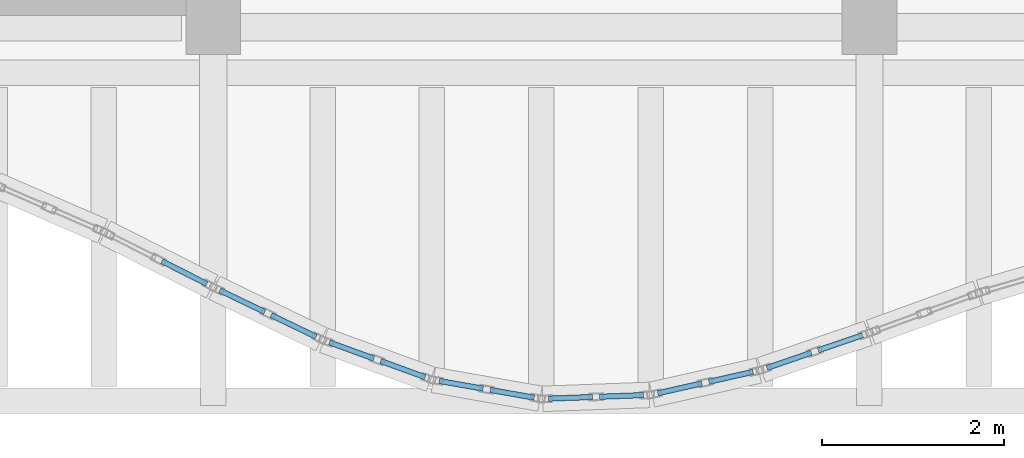
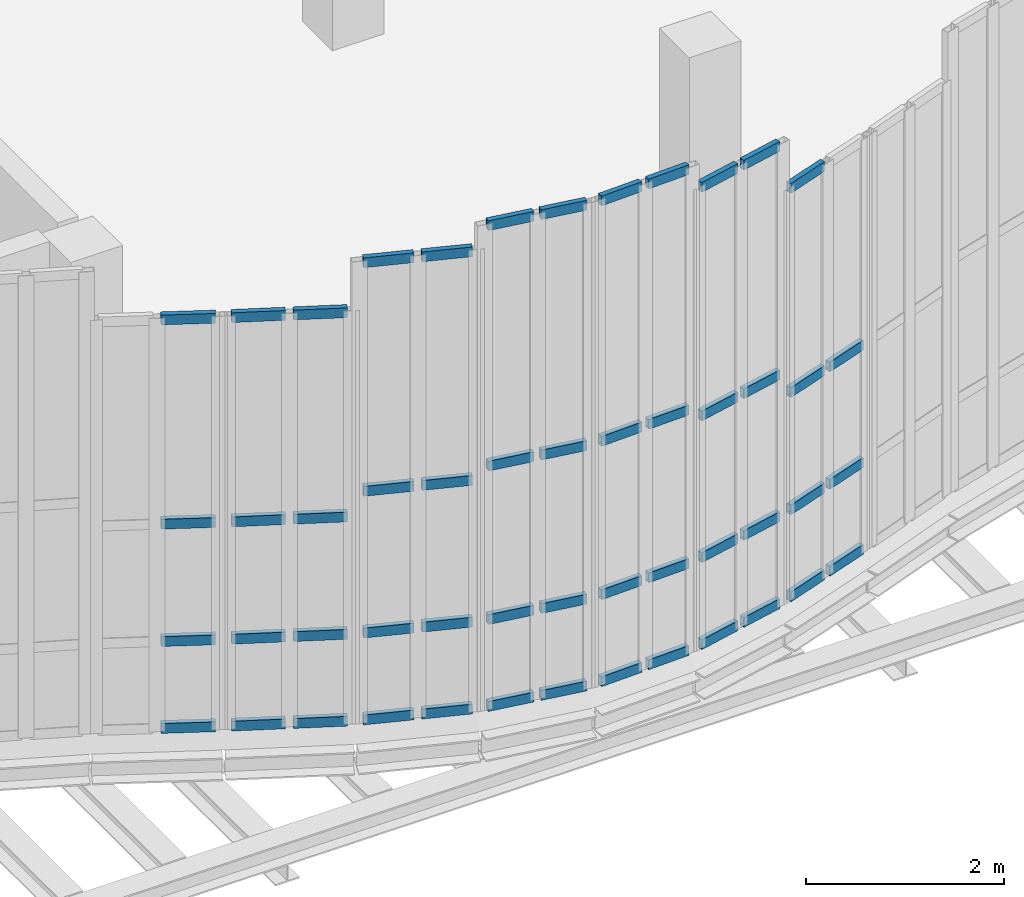
# One storey, part 40 of 76: 51 members, 7 elements without a shape of their own.
"""IFC4 building model written with IfcOpenShell, lengths in metres."""

import ifcopenshell
import ifcopenshell.guid

model = None  # the IFC model being written
_history = None  # IfcOwnerHistory: only IFC2X3 demands one
_inside = {}  # id of a spatial element -> (the spatial element, [elements in it])
_under = {}  # id of a project, library or spatial element -> (it, [spatial elements below it])
_declared = {}  # id of a project -> (the project, [libraries it declares])
_typed = {}  # id of a type object -> (the type object, [elements of that type])
_made_of = {}  # id of a material, layer set ... -> (it, [elements and type objects made of it])


def new_model(schema):
    """Start an empty IFC model of exactly this schema.

    Asked for "IFC4X3", IfcOpenShell would pick the latest addendum, in which some entities
    have other attributes; the version numbers below select the first issue.
    IFC2X3 requires an IfcOwnerHistory on every rooted entity: one is made here for all.
    """
    global model, _history
    if schema == "IFC4X3":
        model = ifcopenshell.file(schema_version=(4, 3, 0, 0))
    else:
        model = ifcopenshell.file(schema=schema)
    _inside.clear()
    _under.clear()
    _declared.clear()
    _typed.clear()
    _made_of.clear()
    _history = None
    if model.schema == "IFC2X3":
        org = make("IfcOrganization", Name="unknown")
        user = make(
            "IfcPersonAndOrganization",
            ThePerson=make("IfcPerson", FamilyName="unknown"),
            TheOrganization=org,
        )
        app = make(
            "IfcApplication",
            ApplicationDeveloper=org,
            Version="unknown",
            ApplicationFullName="unknown",
            ApplicationIdentifier="unknown",
        )
        _history = make(
            "IfcOwnerHistory",
            OwningUser=user,
            OwningApplication=app,
            ChangeAction="ADDED",
            CreationDate=0,
        )
    return model


def make(cls, **values):
    """One entity of the class cls with the attributes given. An attribute that is None is left unset."""
    return model.create_entity(
        cls, **{name: value for name, value in values.items() if value is not None}
    )


def rooted(cls, **values):
    """An entity with a GlobalId (a new one), such as an element, a storey or a relation."""
    return make(cls, GlobalId=ifcopenshell.guid.new(), OwnerHistory=_history, **values)


def si_unit(unit_type, name, prefix=None):
    """IfcSIUnit, for example si_unit("LENGTHUNIT", "METRE", prefix="MILLI")."""
    return make("IfcSIUnit", UnitType=unit_type, Prefix=prefix, Name=name)


def assignment(units):
    """IfcUnitAssignment: the units of a project."""
    return None if units is None else make("IfcUnitAssignment", Units=units)


def point(xyz):
    """IfcCartesianPoint."""
    return None if xyz is None else make("IfcCartesianPoint", Coordinates=xyz)


def direction(xyz):
    """IfcDirection."""
    return None if xyz is None else make("IfcDirection", DirectionRatios=xyz)


def frame(location, z_axis=None, x_axis=None):
    """IfcAxis2Placement3D, a coordinate frame: its origin and axes. An axis left out is left unset."""
    return make(
        "IfcAxis2Placement3D",
        Location=point(location),
        Axis=direction(z_axis),
        RefDirection=direction(x_axis),
    )


def frame_2d(location, x_axis=None):
    """IfcAxis2Placement2D, a coordinate frame in the plane: its origin and x axis."""
    return make(
        "IfcAxis2Placement2D", Location=point(location), RefDirection=direction(x_axis)
    )


def origin():
    """The frame at (0, 0, 0) with its axes left unset."""
    return frame((0.0, 0.0, 0.0))


def origin_2d():
    """The frame at (0, 0) in the plane with its x axis left unset."""
    return frame_2d((0.0, 0.0))


def place(relative_to, where):
    """IfcLocalPlacement: puts the frame where relative to a parent placement (None: the world)."""
    return make(
        "IfcLocalPlacement", PlacementRelTo=relative_to, RelativePlacement=where
    )


def context(
    kind, dimensions, precision=None, world=None, true_north=None, identifier=None
):
    """IfcGeometricRepresentationContext, for example the 3D "Model" context."""
    return make(
        "IfcGeometricRepresentationContext",
        ContextIdentifier=identifier,
        ContextType=kind,
        CoordinateSpaceDimension=dimensions,
        Precision=precision,
        WorldCoordinateSystem=world,
        TrueNorth=true_north,
    )


def subcontext(parent, identifier, kind, view, scale=None):
    """IfcGeometricRepresentationSubContext, for example "Body" below "Model"."""
    return make(
        "IfcGeometricRepresentationSubContext",
        ContextIdentifier=identifier,
        ContextType=kind,
        ParentContext=parent,
        TargetScale=scale,
        TargetView=view,
    )


def project(units=None, contexts=None):
    """IfcProject with its units and contexts."""
    return rooted(
        "IfcProject",
        Name="project",
        RepresentationContexts=contexts,
        UnitsInContext=assignment(units),
    )


def spatial(cls, under=None, at=None, **own):
    """A site, building, storey or space (cls), placed at a placement, below another one or the project."""
    s = rooted(cls, ObjectPlacement=at, **own)
    if under is not None:
        _under.setdefault(under.id(), (under, []))[1].append(s)
    return s


def profile(cls, at=None, kind="AREA", **sizes):
    """A parametric profile (cls). Its sizes go by their IFC names, for example OverallWidth=200.0."""
    return make(cls, ProfileType=kind, Position=at, **sizes)


def hollow_rectangle(**sizes):
    """IfcRectangleHollowProfileDef."""
    return profile("IfcRectangleHollowProfileDef", **sizes)


def extrude(swept, where, along, depth):
    """IfcExtrudedAreaSolid: the profile swept, set in the frame where, extruded along a direction by depth."""
    return make(
        "IfcExtrudedAreaSolid",
        SweptArea=swept,
        Position=where,
        ExtrudedDirection=direction(along),
        Depth=depth,
    )


def shape(context_of_items, identifier, shape_type, items):
    """IfcShapeRepresentation: the items that make up one representation, for example the "Body"."""
    return make(
        "IfcShapeRepresentation",
        ContextOfItems=context_of_items,
        RepresentationIdentifier=identifier,
        RepresentationType=shape_type,
        Items=items,
    )


def material(Name=None, Category=None):
    """IfcMaterial."""
    return make("IfcMaterial", Name=Name, Category=Category)


def layer(
    of_material, thickness, ventilated=None, Name=None, Category=None, Priority=None
):
    """IfcMaterialLayer: one layer of a wall or slab, of a material (None: an air gap)."""
    return make(
        "IfcMaterialLayer",
        Material=of_material,
        LayerThickness=thickness,
        IsVentilated=ventilated,
        Name=Name,
        Category=Category,
        Priority=Priority,
    )


def layer_set(layers, Name=None):
    """IfcMaterialLayerSet."""
    return make("IfcMaterialLayerSet", MaterialLayers=layers, LayerSetName=Name)


def material_profile(
    of_material, cross_section, Name=None, Category=None, Priority=None
):
    """IfcMaterialProfile: a cross section and its material."""
    return make(
        "IfcMaterialProfile",
        Name=Name,
        Material=of_material,
        Profile=cross_section,
        Priority=Priority,
        Category=Category,
    )


def profile_set(profiles, Name=None, composite=None):
    """IfcMaterialProfileSet."""
    return make(
        "IfcMaterialProfileSet",
        Name=Name,
        MaterialProfiles=profiles,
        CompositeProfile=composite,
    )


def made_of(thing, what):
    """Note that an element or type object is made of a material, layer set ...; save() writes the relation."""
    if what is not None:
        _made_of.setdefault(what.id(), (what, []))[1].append(thing)
    return thing


def type_object(cls, material=None, **own):
    """A type object (cls), such as IfcWallType, which elements share."""
    return made_of(rooted(cls, **own), material)


def element(
    cls,
    number,
    at=None,
    inside=None,
    cuts=None,
    type_object=None,
    material=None,
    context=None,
    identifier="Body",
    shape_type=None,
    held_by="IfcProductDefinitionShape",
    body=None,
    shapes=None,
    **own,
):
    """One element of the class cls, such as IfcWall. Its Tag is "e" and its number.

    at: its placement. inside: the storey or other place that contains it. cuts: it is an
    opening in that element (IfcRelVoidsElement). A single representation is given by context,
    identifier, shape_type and body (its items); several are given by shapes. held_by: the class
    of the entity that holds the representations. save() writes the other relations.
    """
    e = rooted(cls, Tag="e%d" % number, ObjectPlacement=at, **own)
    if body is not None:
        shapes = [shape(context, identifier, shape_type, body)]
    if shapes is not None:
        e.Representation = make(held_by, Representations=shapes)
    if inside is not None:
        _inside.setdefault(inside.id(), (inside, []))[1].append(e)
    if cuts is not None:
        rooted(
            "IfcRelVoidsElement", RelatingBuildingElement=cuts, RelatedOpeningElement=e
        )
    if type_object is not None:
        _typed.setdefault(type_object.id(), (type_object, []))[1].append(e)
    return made_of(e, material)


def aggregate(whole, parts):
    """IfcRelAggregates: a whole, such as a stair, and the parts it consists of."""
    return rooted("IfcRelAggregates", RelatingObject=whole, RelatedObjects=parts)


def save(model, path):
    """Write the relations noted so far, then the file.

    IfcRelAggregates (storeys below a building ...), IfcRelContainedInSpatialStructure (elements
    in a storey), IfcRelDefinesByType, IfcRelAssociatesMaterial and IfcRelDeclares: one each for
    every whole, place, type object, material and project.
    """
    for whole, parts in _under.values():
        aggregate(whole, parts)
    for where, things in _inside.values():
        rooted(
            "IfcRelContainedInSpatialStructure",
            RelatedElements=things,
            RelatingStructure=where,
        )
    for kind, things in _typed.values():
        rooted("IfcRelDefinesByType", RelatedObjects=things, RelatingType=kind)
    for what, things in _made_of.values():
        rooted("IfcRelAssociatesMaterial", RelatedObjects=things, RelatingMaterial=what)
    for by, libraries in _declared.values():
        rooted("IfcRelDeclares", RelatingContext=by, RelatedDefinitions=libraries)
    model.write(path)


model = new_model("IFC4")

# Units and contexts
model_context = context("Model", 3, precision=1e-05, world=origin(), true_north=direction((0.0, 1.0)))
body_context = subcontext(model_context, "Body", "Model", "MODEL_VIEW")
ifc_project = project(units=[si_unit("LENGTHUNIT", "METRE"), si_unit("AREAUNIT", "SQUARE_METRE"), si_unit("VOLUMEUNIT", "CUBIC_METRE"), si_unit("PLANEANGLEUNIT", "RADIAN"), si_unit("MASSUNIT", "GRAM", prefix="KILO"), si_unit("THERMODYNAMICTEMPERATUREUNIT", "KELVIN"), si_unit("POWERUNIT", "WATT")], contexts=[model_context])

# Site, building, storey
site_placement = place(None, origin())
site = spatial("IfcSite", under=ifc_project, at=site_placement, CompositionType="ELEMENT")
building_placement = place(site_placement, origin())
building = spatial("IfcBuilding", under=site, at=building_placement, Name="Kaldorven Railside Theatre", CompositionType="ELEMENT")
storey_placement = place(building_placement, frame((0.0, 0.0, 14.39990234375)))
storey = spatial("IfcBuildingStorey", under=building, at=storey_placement, Name="L03", CompositionType="ELEMENT", Elevation=14.39990234375)

# Curtain wall, members
ifc_material_1 = material(Name="Low-E laminated solar-control glass", Category="glass")
ifc_layer_1 = layer(ifc_material_1, 0.159912109375, Name="Low-E laminated solar-control glass")
ifc_layer_set_1 = layer_set([ifc_layer_1], Name="Low-E laminated solar-control glass")
curtain_wall_type_1 = type_object("IfcCurtainWallType", Name="CWT-13", PredefinedType="USERDEFINED", material=ifc_layer_set_1)
curtain_wall_1_placement = place(storey_placement, origin())
curtain_wall_1 = element("IfcCurtainWall", 1, at=curtain_wall_1_placement, inside=storey, type_object=curtain_wall_type_1, Name="Sinusoidal Fluted Curtain Wall CW-L03-S30", ObjectType="FLUTED GLAZING", PredefinedType="USERDEFINED")
ifc_material_2 = material(Name="Anodised bronze aluminium", Category="aluminium")
ifc_material_profile = material_profile(ifc_material_2, hollow_rectangle(XDim=0.06005859375, YDim=0.1201171875, WallThickness=0.0048828125, at=origin_2d()), Name="RHS 120x60x5")
ifc_profile_set = profile_set([ifc_material_profile], Name="Anodised bronze aluminium")
member_type = type_object("IfcMemberType", Name="CWT-120", PredefinedType="USERDEFINED", material=ifc_profile_set)
member_1_placement = place(storey_placement, frame((72.235595703125, 16.6328125, 0.030029296875), z_axis=(0.892206748065, -0.451627189956, 0.0), x_axis=(0.451627189956, 0.892206748065, 0.0)))
member_1 = element("IfcMember", 2, at=member_1_placement, type_object=member_type, Name="CW-L03-S30 transom 2.1", ObjectType="TRANSOM", PredefinedType="USERDEFINED", context=body_context, shape_type="SweptSolid", body=[
    extrude(hollow_rectangle(XDim=0.06005859375, YDim=0.1201171875, WallThickness=0.0048828125, at=origin_2d()), origin(), (0.0, 0.0, 1.0), 0.552490234375),
])
member_2_placement = place(storey_placement, frame((72.235595703125, 16.6328125, 1.10009765625), z_axis=(0.892206748065, -0.451627189956, 0.0), x_axis=(0.451627189956, 0.892206748065, 0.0)))
member_2 = element("IfcMember", 3, at=member_2_placement, type_object=member_type, Name="CW-L03-S30 transom 2.2", ObjectType="TRANSOM", PredefinedType="USERDEFINED", context=body_context, shape_type="SweptSolid", body=[
    extrude(hollow_rectangle(XDim=0.06005859375, YDim=0.1201171875, WallThickness=0.0048828125, at=origin_2d()), origin(), (0.0, 0.0, 1.0), 0.552490234375),
])
member_3_placement = place(storey_placement, frame((72.235595703125, 16.6328125, 2.545166015625), z_axis=(0.892206748065, -0.451627189956, 0.0), x_axis=(0.451627189956, 0.892206748065, 0.0)))
member_3 = element("IfcMember", 4, at=member_3_placement, type_object=member_type, Name="CW-L03-S30 transom 2.3", ObjectType="TRANSOM", PredefinedType="USERDEFINED", context=body_context, shape_type="SweptSolid", body=[
    extrude(hollow_rectangle(XDim=0.06005859375, YDim=0.1201171875, WallThickness=0.0048828125, at=origin_2d()), origin(), (0.0, 0.0, 1.0), 0.552490234375),
])
member_4_placement = place(storey_placement, frame((72.235595703125, 16.6328125, 5.06005859375), z_axis=(0.892206748065, -0.451627189956, 0.0), x_axis=(0.451627189956, 0.892206748065, 0.0)))
member_4 = element("IfcMember", 5, at=member_4_placement, type_object=member_type, Name="CW-L03-S30 transom 2.4", ObjectType="TRANSOM", PredefinedType="USERDEFINED", context=body_context, shape_type="SweptSolid", body=[
    extrude(hollow_rectangle(XDim=0.06005859375, YDim=0.1201171875, WallThickness=0.0048828125, at=origin_2d()), origin(), (0.0, 0.0, 1.0), 0.552490234375),
])
aggregate(curtain_wall_1, [member_1, member_2, member_3, member_4])

curtain_wall_2_placement = place(storey_placement, origin())
curtain_wall_2 = element("IfcCurtainWall", 6, at=curtain_wall_2_placement, inside=storey, type_object=curtain_wall_type_1, Name="Sinusoidal Fluted Curtain Wall CW-L03-S31", ObjectType="FLUTED GLAZING", PredefinedType="USERDEFINED")
member_5_placement = place(storey_placement, frame((72.8720703125, 16.3125, 0.030029296875), z_axis=(0.90085923382, -0.434111323097, 0.0), x_axis=(0.434111323097, 0.90085923382, 0.0)))
member_5 = element("IfcMember", 7, at=member_5_placement, type_object=member_type, Name="CW-L03-S31 transom 1.1", ObjectType="TRANSOM", PredefinedType="USERDEFINED", context=body_context, shape_type="SweptSolid", body=[
    extrude(hollow_rectangle(XDim=0.06005859375, YDim=0.1201171875, WallThickness=0.0048828125, at=origin_2d()), origin(), (0.0, 0.0, 1.0), 0.546142578125),
])
member_6_placement = place(storey_placement, frame((72.8720703125, 16.3125, 1.10009765625), z_axis=(0.90085923382, -0.434111323097, 0.0), x_axis=(0.434111323097, 0.90085923382, 0.0)))
member_6 = element("IfcMember", 8, at=member_6_placement, type_object=member_type, Name="CW-L03-S31 transom 1.2", ObjectType="TRANSOM", PredefinedType="USERDEFINED", context=body_context, shape_type="SweptSolid", body=[
    extrude(hollow_rectangle(XDim=0.06005859375, YDim=0.1201171875, WallThickness=0.0048828125, at=origin_2d()), origin(), (0.0, 0.0, 1.0), 0.546142578125),
])
member_7_placement = place(storey_placement, frame((72.8720703125, 16.3125, 2.545166015625), z_axis=(0.90085923382, -0.434111323097, 0.0), x_axis=(0.434111323097, 0.90085923382, 0.0)))
member_7 = element("IfcMember", 9, at=member_7_placement, type_object=member_type, Name="CW-L03-S31 transom 1.3", ObjectType="TRANSOM", PredefinedType="USERDEFINED", context=body_context, shape_type="SweptSolid", body=[
    extrude(hollow_rectangle(XDim=0.06005859375, YDim=0.1201171875, WallThickness=0.0048828125, at=origin_2d()), origin(), (0.0, 0.0, 1.0), 0.546142578125),
])
member_8_placement = place(storey_placement, frame((72.8720703125, 16.3125, 5.06005859375), z_axis=(0.90085923382, -0.434111323097, 0.0), x_axis=(0.434111323097, 0.90085923382, 0.0)))
member_8 = element("IfcMember", 10, at=member_8_placement, type_object=member_type, Name="CW-L03-S31 transom 1.4", ObjectType="TRANSOM", PredefinedType="USERDEFINED", context=body_context, shape_type="SweptSolid", body=[
    extrude(hollow_rectangle(XDim=0.06005859375, YDim=0.1201171875, WallThickness=0.0048828125, at=origin_2d()), origin(), (0.0, 0.0, 1.0), 0.546142578125),
])
member_9_placement = place(storey_placement, frame((73.43603515625, 16.040771484375, 0.030029296875), z_axis=(0.900684355074, -0.434474041256, 0.0), x_axis=(0.434474041256, 0.900684355074, 0.0)))
member_9 = element("IfcMember", 11, at=member_9_placement, type_object=member_type, Name="CW-L03-S31 transom 2.1", ObjectType="TRANSOM", PredefinedType="USERDEFINED", context=body_context, shape_type="SweptSolid", body=[
    extrude(hollow_rectangle(XDim=0.06005859375, YDim=0.1201171875, WallThickness=0.0048828125, at=origin_2d()), origin(), (0.0, 0.0, 1.0), 0.546142578125),
])
member_10_placement = place(storey_placement, frame((73.43603515625, 16.040771484375, 1.10009765625), z_axis=(0.900684355074, -0.434474041256, 0.0), x_axis=(0.434474041256, 0.900684355074, 0.0)))
member_10 = element("IfcMember", 12, at=member_10_placement, type_object=member_type, Name="CW-L03-S31 transom 2.2", ObjectType="TRANSOM", PredefinedType="USERDEFINED", context=body_context, shape_type="SweptSolid", body=[
    extrude(hollow_rectangle(XDim=0.06005859375, YDim=0.1201171875, WallThickness=0.0048828125, at=origin_2d()), origin(), (0.0, 0.0, 1.0), 0.546142578125),
])
member_11_placement = place(storey_placement, frame((73.43603515625, 16.040771484375, 2.545166015625), z_axis=(0.900684355074, -0.434474041256, 0.0), x_axis=(0.434474041256, 0.900684355074, 0.0)))
member_11 = element("IfcMember", 13, at=member_11_placement, type_object=member_type, Name="CW-L03-S31 transom 2.3", ObjectType="TRANSOM", PredefinedType="USERDEFINED", context=body_context, shape_type="SweptSolid", body=[
    extrude(hollow_rectangle(XDim=0.06005859375, YDim=0.1201171875, WallThickness=0.0048828125, at=origin_2d()), origin(), (0.0, 0.0, 1.0), 0.546142578125),
])
member_12_placement = place(storey_placement, frame((73.43603515625, 16.040771484375, 5.06005859375), z_axis=(0.900684355074, -0.434474041256, 0.0), x_axis=(0.434474041256, 0.900684355074, 0.0)))
member_12 = element("IfcMember", 14, at=member_12_placement, type_object=member_type, Name="CW-L03-S31 transom 2.4", ObjectType="TRANSOM", PredefinedType="USERDEFINED", context=body_context, shape_type="SweptSolid", body=[
    extrude(hollow_rectangle(XDim=0.06005859375, YDim=0.1201171875, WallThickness=0.0048828125, at=origin_2d()), origin(), (0.0, 0.0, 1.0), 0.546142578125),
])
aggregate(curtain_wall_2, [member_5, member_6, member_7, member_8, member_9, member_10, member_11, member_12])

ifc_layer_2 = layer(ifc_material_1, 0.159912109375, Name="Low-E laminated solar-control glass")
ifc_layer_set_2 = layer_set([ifc_layer_2], Name="Low-E laminated solar-control glass")
curtain_wall_type_2 = type_object("IfcCurtainWallType", Name="CWT-14", PredefinedType="USERDEFINED", material=ifc_layer_set_2)
curtain_wall_3_placement = place(storey_placement, origin())
curtain_wall_3 = element("IfcCurtainWall", 15, at=curtain_wall_3_placement, inside=storey, type_object=curtain_wall_type_2, Name="Sinusoidal Fluted Curtain Wall CW-L03-S32", ObjectType="FLUTED GLAZING", PredefinedType="USERDEFINED")
member_13_placement = place(storey_placement, frame((74.0751953125, 15.741455078125, 0.030029296875), z_axis=(0.939765927039, -0.341818668853, 0.0), x_axis=(0.341818668853, 0.939765927039, 0.0)))
member_13 = element("IfcMember", 16, at=member_13_placement, type_object=member_type, Name="CW-L03-S32 transom 1.1", ObjectType="TRANSOM", PredefinedType="USERDEFINED", context=body_context, shape_type="SweptSolid", body=[
    extrude(hollow_rectangle(XDim=0.06005859375, YDim=0.1201171875, WallThickness=0.0048828125, at=origin_2d()), origin(), (0.0, 0.0, 1.0), 0.5185546875),
])
member_14_placement = place(storey_placement, frame((74.0751953125, 15.741455078125, 1.10009765625), z_axis=(0.939765927039, -0.341818668853, 0.0), x_axis=(0.341818668853, 0.939765927039, 0.0)))
member_14 = element("IfcMember", 17, at=member_14_placement, type_object=member_type, Name="CW-L03-S32 transom 1.2", ObjectType="TRANSOM", PredefinedType="USERDEFINED", context=body_context, shape_type="SweptSolid", body=[
    extrude(hollow_rectangle(XDim=0.06005859375, YDim=0.1201171875, WallThickness=0.0048828125, at=origin_2d()), origin(), (0.0, 0.0, 1.0), 0.5185546875),
])
member_15_placement = place(storey_placement, frame((74.0751953125, 15.741455078125, 2.84521484375), z_axis=(0.939765927039, -0.341818668853, 0.0), x_axis=(0.341818668853, 0.939765927039, 0.0)))
member_15 = element("IfcMember", 18, at=member_15_placement, type_object=member_type, Name="CW-L03-S32 transom 1.3", ObjectType="TRANSOM", PredefinedType="USERDEFINED", context=body_context, shape_type="SweptSolid", body=[
    extrude(hollow_rectangle(XDim=0.06005859375, YDim=0.1201171875, WallThickness=0.0048828125, at=origin_2d()), origin(), (0.0, 0.0, 1.0), 0.5185546875),
])
member_16_placement = place(storey_placement, frame((74.0751953125, 15.741455078125, 5.66015625), z_axis=(0.939765927039, -0.341818668853, 0.0), x_axis=(0.341818668853, 0.939765927039, 0.0)))
member_16 = element("IfcMember", 19, at=member_16_placement, type_object=member_type, Name="CW-L03-S32 transom 1.4", ObjectType="TRANSOM", PredefinedType="USERDEFINED", context=body_context, shape_type="SweptSolid", body=[
    extrude(hollow_rectangle(XDim=0.06005859375, YDim=0.1201171875, WallThickness=0.0048828125, at=origin_2d()), origin(), (0.0, 0.0, 1.0), 0.5185546875),
])
member_17_placement = place(storey_placement, frame((74.6376953125, 15.536865234375, 0.030029296875), z_axis=(0.939710879359, -0.341969974143, 0.0), x_axis=(0.341969974143, 0.939710879359, 0.0)))
member_17 = element("IfcMember", 20, at=member_17_placement, type_object=member_type, Name="CW-L03-S32 transom 2.1", ObjectType="TRANSOM", PredefinedType="USERDEFINED", context=body_context, shape_type="SweptSolid", body=[
    extrude(hollow_rectangle(XDim=0.06005859375, YDim=0.1201171875, WallThickness=0.0048828125, at=origin_2d()), origin(), (0.0, 0.0, 1.0), 0.518310546875),
])
member_18_placement = place(storey_placement, frame((74.6376953125, 15.536865234375, 1.10009765625), z_axis=(0.939710879359, -0.341969974143, 0.0), x_axis=(0.341969974143, 0.939710879359, 0.0)))
member_18 = element("IfcMember", 21, at=member_18_placement, type_object=member_type, Name="CW-L03-S32 transom 2.2", ObjectType="TRANSOM", PredefinedType="USERDEFINED", context=body_context, shape_type="SweptSolid", body=[
    extrude(hollow_rectangle(XDim=0.06005859375, YDim=0.1201171875, WallThickness=0.0048828125, at=origin_2d()), origin(), (0.0, 0.0, 1.0), 0.518310546875),
])
member_19_placement = place(storey_placement, frame((74.6376953125, 15.536865234375, 2.84521484375), z_axis=(0.939710879359, -0.341969974143, 0.0), x_axis=(0.341969974143, 0.939710879359, 0.0)))
member_19 = element("IfcMember", 22, at=member_19_placement, type_object=member_type, Name="CW-L03-S32 transom 2.3", ObjectType="TRANSOM", PredefinedType="USERDEFINED", context=body_context, shape_type="SweptSolid", body=[
    extrude(hollow_rectangle(XDim=0.06005859375, YDim=0.1201171875, WallThickness=0.0048828125, at=origin_2d()), origin(), (0.0, 0.0, 1.0), 0.518310546875),
])
member_20_placement = place(storey_placement, frame((74.6376953125, 15.536865234375, 5.66015625), z_axis=(0.939710879359, -0.341969974143, 0.0), x_axis=(0.341969974143, 0.939710879359, 0.0)))
member_20 = element("IfcMember", 23, at=member_20_placement, type_object=member_type, Name="CW-L03-S32 transom 2.4", ObjectType="TRANSOM", PredefinedType="USERDEFINED", context=body_context, shape_type="SweptSolid", body=[
    extrude(hollow_rectangle(XDim=0.06005859375, YDim=0.1201171875, WallThickness=0.0048828125, at=origin_2d()), origin(), (0.0, 0.0, 1.0), 0.518310546875),
])
aggregate(curtain_wall_3, [member_13, member_14, member_15, member_16, member_17, member_18, member_19, member_20])

ifc_layer_3 = layer(ifc_material_1, 0.159912109375, Name="Low-E laminated solar-control glass")
ifc_layer_set_3 = layer_set([ifc_layer_3], Name="Low-E laminated solar-control glass")
curtain_wall_type_3 = type_object("IfcCurtainWallType", Name="CWT-15", PredefinedType="USERDEFINED", material=ifc_layer_set_3)
curtain_wall_4_placement = place(storey_placement, origin())
curtain_wall_4 = element("IfcCurtainWall", 24, at=curtain_wall_4_placement, inside=storey, type_object=curtain_wall_type_3, Name="Sinusoidal Fluted Curtain Wall CW-L03-S33", ObjectType="FLUTED GLAZING", PredefinedType="USERDEFINED")
member_21_placement = place(storey_placement, frame((75.27880859375, 15.318359375, 0.030029296875), z_axis=(0.984883900347, -0.1732157696, 0.0), x_axis=(0.1732157696, 0.984883900347, 0.0)))
member_21 = element("IfcMember", 25, at=member_21_placement, type_object=member_type, Name="CW-L03-S33 transom 1.1", ObjectType="TRANSOM", PredefinedType="USERDEFINED", context=body_context, shape_type="SweptSolid", body=[
    extrude(hollow_rectangle(XDim=0.06005859375, YDim=0.1201171875, WallThickness=0.0048828125, at=origin_2d()), origin(), (0.0, 0.0, 1.0), 0.489013671875),
])
member_22_placement = place(storey_placement, frame((75.27880859375, 15.318359375, 1.10009765625), z_axis=(0.984883900347, -0.1732157696, 0.0), x_axis=(0.1732157696, 0.984883900347, 0.0)))
member_22 = element("IfcMember", 26, at=member_22_placement, type_object=member_type, Name="CW-L03-S33 transom 1.2", ObjectType="TRANSOM", PredefinedType="USERDEFINED", context=body_context, shape_type="SweptSolid", body=[
    extrude(hollow_rectangle(XDim=0.06005859375, YDim=0.1201171875, WallThickness=0.0048828125, at=origin_2d()), origin(), (0.0, 0.0, 1.0), 0.489013671875),
])
member_23_placement = place(storey_placement, frame((75.27880859375, 15.318359375, 2.989990234375), z_axis=(0.984883900347, -0.1732157696, 0.0), x_axis=(0.1732157696, 0.984883900347, 0.0)))
member_23 = element("IfcMember", 27, at=member_23_placement, type_object=member_type, Name="CW-L03-S33 transom 1.3", ObjectType="TRANSOM", PredefinedType="USERDEFINED", context=body_context, shape_type="SweptSolid", body=[
    extrude(hollow_rectangle(XDim=0.06005859375, YDim=0.1201171875, WallThickness=0.0048828125, at=origin_2d()), origin(), (0.0, 0.0, 1.0), 0.489013671875),
])
member_24_placement = place(storey_placement, frame((75.27880859375, 15.318359375, 5.9501953125), z_axis=(0.984883900347, -0.1732157696, 0.0), x_axis=(0.1732157696, 0.984883900347, 0.0)))
member_24 = element("IfcMember", 28, at=member_24_placement, type_object=member_type, Name="CW-L03-S33 transom 1.4", ObjectType="TRANSOM", PredefinedType="USERDEFINED", context=body_context, shape_type="SweptSolid", body=[
    extrude(hollow_rectangle(XDim=0.06005859375, YDim=0.1201171875, WallThickness=0.0048828125, at=origin_2d()), origin(), (0.0, 0.0, 1.0), 0.489013671875),
])
member_25_placement = place(storey_placement, frame((75.83935546875, 15.2197265625, 0.030029296875), z_axis=(0.984898866584, -0.173130651826, 0.0), x_axis=(0.173130651826, 0.984898866584, 0.0)))
member_25 = element("IfcMember", 29, at=member_25_placement, type_object=member_type, Name="CW-L03-S33 transom 2.1", ObjectType="TRANSOM", PredefinedType="USERDEFINED", context=body_context, shape_type="SweptSolid", body=[
    extrude(hollow_rectangle(XDim=0.06005859375, YDim=0.1201171875, WallThickness=0.0048828125, at=origin_2d()), origin(), (0.0, 0.0, 1.0), 0.4892578125),
])
member_26_placement = place(storey_placement, frame((75.83935546875, 15.2197265625, 1.10009765625), z_axis=(0.984898866584, -0.173130651826, 0.0), x_axis=(0.173130651826, 0.984898866584, 0.0)))
member_26 = element("IfcMember", 30, at=member_26_placement, type_object=member_type, Name="CW-L03-S33 transom 2.2", ObjectType="TRANSOM", PredefinedType="USERDEFINED", context=body_context, shape_type="SweptSolid", body=[
    extrude(hollow_rectangle(XDim=0.06005859375, YDim=0.1201171875, WallThickness=0.0048828125, at=origin_2d()), origin(), (0.0, 0.0, 1.0), 0.4892578125),
])
member_27_placement = place(storey_placement, frame((75.83935546875, 15.2197265625, 2.989990234375), z_axis=(0.984898866584, -0.173130651826, 0.0), x_axis=(0.173130651826, 0.984898866584, 0.0)))
member_27 = element("IfcMember", 31, at=member_27_placement, type_object=member_type, Name="CW-L03-S33 transom 2.3", ObjectType="TRANSOM", PredefinedType="USERDEFINED", context=body_context, shape_type="SweptSolid", body=[
    extrude(hollow_rectangle(XDim=0.06005859375, YDim=0.1201171875, WallThickness=0.0048828125, at=origin_2d()), origin(), (0.0, 0.0, 1.0), 0.4892578125),
])
member_28_placement = place(storey_placement, frame((75.83935546875, 15.2197265625, 5.9501953125), z_axis=(0.984898866584, -0.173130651826, 0.0), x_axis=(0.173130651826, 0.984898866584, 0.0)))
member_28 = element("IfcMember", 32, at=member_28_placement, type_object=member_type, Name="CW-L03-S33 transom 2.4", ObjectType="TRANSOM", PredefinedType="USERDEFINED", context=body_context, shape_type="SweptSolid", body=[
    extrude(hollow_rectangle(XDim=0.06005859375, YDim=0.1201171875, WallThickness=0.0048828125, at=origin_2d()), origin(), (0.0, 0.0, 1.0), 0.4892578125),
])
aggregate(curtain_wall_4, [member_21, member_22, member_23, member_24, member_25, member_26, member_27, member_28])

ifc_layer_4 = layer(ifc_material_1, 0.159912109375, Name="Low-E laminated solar-control glass")
ifc_layer_set_4 = layer_set([ifc_layer_4], Name="Low-E laminated solar-control glass")
curtain_wall_type_4 = type_object("IfcCurtainWallType", Name="CWT-10", PredefinedType="USERDEFINED", material=ifc_layer_set_4)
curtain_wall_5_placement = place(storey_placement, origin())
curtain_wall_5 = element("IfcCurtainWall", 33, at=curtain_wall_5_placement, inside=storey, type_object=curtain_wall_type_4, Name="Sinusoidal Fluted Curtain Wall CW-L03-S34", ObjectType="FLUTED GLAZING", PredefinedType="USERDEFINED")
member_29_placement = place(storey_placement, frame((76.47998046875, 15.124267578125, 0.030029296875), z_axis=(0.99933006699, 0.036598049249, 0.0), x_axis=(-0.036598049249, 0.99933006699, 0.0)))
member_29 = element("IfcMember", 34, at=member_29_placement, type_object=member_type, Name="CW-L03-S34 transom 1.1", ObjectType="TRANSOM", PredefinedType="USERDEFINED", context=body_context, shape_type="SweptSolid", body=[
    extrude(hollow_rectangle(XDim=0.06005859375, YDim=0.1201171875, WallThickness=0.0048828125, at=origin_2d()), origin(), (0.0, 0.0, 1.0), 0.480224609375),
])
member_30_placement = place(storey_placement, frame((76.47998046875, 15.124267578125, 1.10009765625), z_axis=(0.99933006699, 0.036598049249, 0.0), x_axis=(-0.036598049249, 0.99933006699, 0.0)))
member_30 = element("IfcMember", 35, at=member_30_placement, type_object=member_type, Name="CW-L03-S34 transom 1.2", ObjectType="TRANSOM", PredefinedType="USERDEFINED", context=body_context, shape_type="SweptSolid", body=[
    extrude(hollow_rectangle(XDim=0.06005859375, YDim=0.1201171875, WallThickness=0.0048828125, at=origin_2d()), origin(), (0.0, 0.0, 1.0), 0.480224609375),
])
member_31_placement = place(storey_placement, frame((76.47998046875, 15.124267578125, 2.989990234375), z_axis=(0.99933006699, 0.036598049249, 0.0), x_axis=(-0.036598049249, 0.99933006699, 0.0)))
member_31 = element("IfcMember", 36, at=member_31_placement, type_object=member_type, Name="CW-L03-S34 transom 1.3", ObjectType="TRANSOM", PredefinedType="USERDEFINED", context=body_context, shape_type="SweptSolid", body=[
    extrude(hollow_rectangle(XDim=0.06005859375, YDim=0.1201171875, WallThickness=0.0048828125, at=origin_2d()), origin(), (0.0, 0.0, 1.0), 0.480224609375),
])
member_32_placement = place(storey_placement, frame((76.47998046875, 15.124267578125, 5.9501953125), z_axis=(0.99933006699, 0.036598049249, 0.0), x_axis=(-0.036598049249, 0.99933006699, 0.0)))
member_32 = element("IfcMember", 37, at=member_32_placement, type_object=member_type, Name="CW-L03-S34 transom 1.4", ObjectType="TRANSOM", PredefinedType="USERDEFINED", context=body_context, shape_type="SweptSolid", body=[
    extrude(hollow_rectangle(XDim=0.06005859375, YDim=0.1201171875, WallThickness=0.0048828125, at=origin_2d()), origin(), (0.0, 0.0, 1.0), 0.480224609375),
])
member_33_placement = place(storey_placement, frame((77.0400390625, 15.14501953125, 0.030029296875), z_axis=(0.999311347861, 0.037105660424, 0.0), x_axis=(-0.037105660424, 0.999311347861, 0.0)))
member_33 = element("IfcMember", 38, at=member_33_placement, type_object=member_type, Name="CW-L03-S34 transom 2.1", ObjectType="TRANSOM", PredefinedType="USERDEFINED", context=body_context, shape_type="SweptSolid", body=[
    extrude(hollow_rectangle(XDim=0.06005859375, YDim=0.1201171875, WallThickness=0.0048828125, at=origin_2d()), origin(), (0.0, 0.0, 1.0), 0.480224609375),
])
member_34_placement = place(storey_placement, frame((77.0400390625, 15.14501953125, 1.10009765625), z_axis=(0.999311347861, 0.037105660424, 0.0), x_axis=(-0.037105660424, 0.999311347861, 0.0)))
member_34 = element("IfcMember", 39, at=member_34_placement, type_object=member_type, Name="CW-L03-S34 transom 2.2", ObjectType="TRANSOM", PredefinedType="USERDEFINED", context=body_context, shape_type="SweptSolid", body=[
    extrude(hollow_rectangle(XDim=0.06005859375, YDim=0.1201171875, WallThickness=0.0048828125, at=origin_2d()), origin(), (0.0, 0.0, 1.0), 0.480224609375),
])
member_35_placement = place(storey_placement, frame((77.0400390625, 15.14501953125, 2.989990234375), z_axis=(0.999311347861, 0.037105660424, 0.0), x_axis=(-0.037105660424, 0.999311347861, 0.0)))
member_35 = element("IfcMember", 40, at=member_35_placement, type_object=member_type, Name="CW-L03-S34 transom 2.3", ObjectType="TRANSOM", PredefinedType="USERDEFINED", context=body_context, shape_type="SweptSolid", body=[
    extrude(hollow_rectangle(XDim=0.06005859375, YDim=0.1201171875, WallThickness=0.0048828125, at=origin_2d()), origin(), (0.0, 0.0, 1.0), 0.480224609375),
])
member_36_placement = place(storey_placement, frame((77.0400390625, 15.14501953125, 5.9501953125), z_axis=(0.999311347861, 0.037105660424, 0.0), x_axis=(-0.037105660424, 0.999311347861, 0.0)))
member_36 = element("IfcMember", 41, at=member_36_placement, type_object=member_type, Name="CW-L03-S34 transom 2.4", ObjectType="TRANSOM", PredefinedType="USERDEFINED", context=body_context, shape_type="SweptSolid", body=[
    extrude(hollow_rectangle(XDim=0.06005859375, YDim=0.1201171875, WallThickness=0.0048828125, at=origin_2d()), origin(), (0.0, 0.0, 1.0), 0.480224609375),
])
aggregate(curtain_wall_5, [member_29, member_30, member_31, member_32, member_33, member_34, member_35, member_36])

ifc_layer_5 = layer(ifc_material_1, 0.159912109375, Name="Low-E laminated solar-control glass")
ifc_layer_set_5 = layer_set([ifc_layer_5], Name="Low-E laminated solar-control glass")
curtain_wall_type_5 = type_object("IfcCurtainWallType", Name="CWT-09", PredefinedType="USERDEFINED", material=ifc_layer_set_5)
curtain_wall_6_placement = place(storey_placement, origin())
curtain_wall_6 = element("IfcCurtainWall", 42, at=curtain_wall_6_placement, inside=storey, type_object=curtain_wall_type_5, Name="Sinusoidal Fluted Curtain Wall CW-L03-S35", ObjectType="FLUTED GLAZING", PredefinedType="USERDEFINED")
member_37_placement = place(storey_placement, frame((77.677978515625, 15.183349609375, 0.030029296875), z_axis=(0.975720554959, 0.219019174116, 0.0), x_axis=(-0.219019174116, 0.975720554959, 0.0)))
member_37 = element("IfcMember", 43, at=member_37_placement, type_object=member_type, Name="CW-L03-S35 transom 1.1", ObjectType="TRANSOM", PredefinedType="USERDEFINED", context=body_context, shape_type="SweptSolid", body=[
    extrude(hollow_rectangle(XDim=0.06005859375, YDim=0.1201171875, WallThickness=0.0048828125, at=origin_2d()), origin(), (0.0, 0.0, 1.0), 0.494873046875),
])
member_38_placement = place(storey_placement, frame((77.677978515625, 15.183349609375, 1.10009765625), z_axis=(0.975720554959, 0.219019174116, 0.0), x_axis=(-0.219019174116, 0.975720554959, 0.0)))
member_38 = element("IfcMember", 44, at=member_38_placement, type_object=member_type, Name="CW-L03-S35 transom 1.2", ObjectType="TRANSOM", PredefinedType="USERDEFINED", context=body_context, shape_type="SweptSolid", body=[
    extrude(hollow_rectangle(XDim=0.06005859375, YDim=0.1201171875, WallThickness=0.0048828125, at=origin_2d()), origin(), (0.0, 0.0, 1.0), 0.494873046875),
])
member_39_placement = place(storey_placement, frame((77.677978515625, 15.183349609375, 2.84521484375), z_axis=(0.975720554959, 0.219019174116, 0.0), x_axis=(-0.219019174116, 0.975720554959, 0.0)))
member_39 = element("IfcMember", 45, at=member_39_placement, type_object=member_type, Name="CW-L03-S35 transom 1.3", ObjectType="TRANSOM", PredefinedType="USERDEFINED", context=body_context, shape_type="SweptSolid", body=[
    extrude(hollow_rectangle(XDim=0.06005859375, YDim=0.1201171875, WallThickness=0.0048828125, at=origin_2d()), origin(), (0.0, 0.0, 1.0), 0.494873046875),
])
member_40_placement = place(storey_placement, frame((77.677978515625, 15.183349609375, 5.66015625), z_axis=(0.975720554959, 0.219019174116, 0.0), x_axis=(-0.219019174116, 0.975720554959, 0.0)))
member_40 = element("IfcMember", 46, at=member_40_placement, type_object=member_type, Name="CW-L03-S35 transom 1.4", ObjectType="TRANSOM", PredefinedType="USERDEFINED", context=body_context, shape_type="SweptSolid", body=[
    extrude(hollow_rectangle(XDim=0.06005859375, YDim=0.1201171875, WallThickness=0.0048828125, at=origin_2d()), origin(), (0.0, 0.0, 1.0), 0.494873046875),
])
member_41_placement = place(storey_placement, frame((78.239013671875, 15.309326171875, 0.030029296875), z_axis=(0.975720554959, 0.219019174116, 0.0), x_axis=(-0.219019174116, 0.975720554959, 0.0)))
member_41 = element("IfcMember", 47, at=member_41_placement, type_object=member_type, Name="CW-L03-S35 transom 2.1", ObjectType="TRANSOM", PredefinedType="USERDEFINED", context=body_context, shape_type="SweptSolid", body=[
    extrude(hollow_rectangle(XDim=0.06005859375, YDim=0.1201171875, WallThickness=0.0048828125, at=origin_2d()), origin(), (0.0, 0.0, 1.0), 0.494873046875),
])
member_42_placement = place(storey_placement, frame((78.239013671875, 15.309326171875, 1.10009765625), z_axis=(0.975720554959, 0.219019174116, 0.0), x_axis=(-0.219019174116, 0.975720554959, 0.0)))
member_42 = element("IfcMember", 48, at=member_42_placement, type_object=member_type, Name="CW-L03-S35 transom 2.2", ObjectType="TRANSOM", PredefinedType="USERDEFINED", context=body_context, shape_type="SweptSolid", body=[
    extrude(hollow_rectangle(XDim=0.06005859375, YDim=0.1201171875, WallThickness=0.0048828125, at=origin_2d()), origin(), (0.0, 0.0, 1.0), 0.494873046875),
])
member_43_placement = place(storey_placement, frame((78.239013671875, 15.309326171875, 2.84521484375), z_axis=(0.975720554959, 0.219019174116, 0.0), x_axis=(-0.219019174116, 0.975720554959, 0.0)))
member_43 = element("IfcMember", 49, at=member_43_placement, type_object=member_type, Name="CW-L03-S35 transom 2.3", ObjectType="TRANSOM", PredefinedType="USERDEFINED", context=body_context, shape_type="SweptSolid", body=[
    extrude(hollow_rectangle(XDim=0.06005859375, YDim=0.1201171875, WallThickness=0.0048828125, at=origin_2d()), origin(), (0.0, 0.0, 1.0), 0.494873046875),
])
member_44_placement = place(storey_placement, frame((78.239013671875, 15.309326171875, 5.66015625), z_axis=(0.975720554959, 0.219019174116, 0.0), x_axis=(-0.219019174116, 0.975720554959, 0.0)))
member_44 = element("IfcMember", 50, at=member_44_placement, type_object=member_type, Name="CW-L03-S35 transom 2.4", ObjectType="TRANSOM", PredefinedType="USERDEFINED", context=body_context, shape_type="SweptSolid", body=[
    extrude(hollow_rectangle(XDim=0.06005859375, YDim=0.1201171875, WallThickness=0.0048828125, at=origin_2d()), origin(), (0.0, 0.0, 1.0), 0.494873046875),
])
aggregate(curtain_wall_6, [member_37, member_38, member_39, member_40, member_41, member_42, member_43, member_44])

ifc_layer_6 = layer(ifc_material_1, 0.159912109375, Name="Low-E laminated solar-control glass")
ifc_layer_set_6 = layer_set([ifc_layer_6], Name="Low-E laminated solar-control glass")
curtain_wall_type_6 = type_object("IfcCurtainWallType", Name="CWT-16", PredefinedType="USERDEFINED", material=ifc_layer_set_6)
curtain_wall_7_placement = place(storey_placement, origin())
curtain_wall_7 = element("IfcCurtainWall", 51, at=curtain_wall_7_placement, inside=storey, type_object=curtain_wall_type_6, Name="Sinusoidal Fluted Curtain Wall CW-L03-S36", ObjectType="FLUTED GLAZING", PredefinedType="USERDEFINED")
member_45_placement = place(storey_placement, frame((78.875732421875, 15.461181640625, 0.030029296875), z_axis=(0.945941783381, 0.324336464884, 0.0), x_axis=(-0.324336464884, 0.945941783381, 0.0)))
member_45 = element("IfcMember", 52, at=member_45_placement, type_object=member_type, Name="CW-L03-S36 transom 1.1", ObjectType="TRANSOM", PredefinedType="USERDEFINED", context=body_context, shape_type="SweptSolid", body=[
    extrude(hollow_rectangle(XDim=0.06005859375, YDim=0.1201171875, WallThickness=0.0048828125, at=origin_2d()), origin(), (0.0, 0.0, 1.0), 0.51416015625),
])
member_46_placement = place(storey_placement, frame((78.875732421875, 15.461181640625, 1.10009765625), z_axis=(0.945941783381, 0.324336464884, 0.0), x_axis=(-0.324336464884, 0.945941783381, 0.0)))
member_46 = element("IfcMember", 53, at=member_46_placement, type_object=member_type, Name="CW-L03-S36 transom 1.2", ObjectType="TRANSOM", PredefinedType="USERDEFINED", context=body_context, shape_type="SweptSolid", body=[
    extrude(hollow_rectangle(XDim=0.06005859375, YDim=0.1201171875, WallThickness=0.0048828125, at=origin_2d()), origin(), (0.0, 0.0, 1.0), 0.51416015625),
])
member_47_placement = place(storey_placement, frame((78.875732421875, 15.461181640625, 2.545166015625), z_axis=(0.945941783381, 0.324336464884, 0.0), x_axis=(-0.324336464884, 0.945941783381, 0.0)))
member_47 = element("IfcMember", 54, at=member_47_placement, type_object=member_type, Name="CW-L03-S36 transom 1.3", ObjectType="TRANSOM", PredefinedType="USERDEFINED", context=body_context, shape_type="SweptSolid", body=[
    extrude(hollow_rectangle(XDim=0.06005859375, YDim=0.1201171875, WallThickness=0.0048828125, at=origin_2d()), origin(), (0.0, 0.0, 1.0), 0.51416015625),
])
member_48_placement = place(storey_placement, frame((78.875732421875, 15.461181640625, 5.06005859375), z_axis=(0.945941783381, 0.324336464884, 0.0), x_axis=(-0.324336464884, 0.945941783381, 0.0)))
member_48 = element("IfcMember", 55, at=member_48_placement, type_object=member_type, Name="CW-L03-S36 transom 1.4", ObjectType="TRANSOM", PredefinedType="USERDEFINED", context=body_context, shape_type="SweptSolid", body=[
    extrude(hollow_rectangle(XDim=0.06005859375, YDim=0.1201171875, WallThickness=0.0048828125, at=origin_2d()), origin(), (0.0, 0.0, 1.0), 0.51416015625),
])
member_49_placement = place(storey_placement, frame((79.437744140625, 15.65380859375, 0.030029296875), z_axis=(0.945991703324, 0.324190834606, 0.0), x_axis=(-0.324190834606, 0.945991703324, 0.0)))
member_49 = element("IfcMember", 56, at=member_49_placement, type_object=member_type, Name="CW-L03-S36 transom 2.1", ObjectType="TRANSOM", PredefinedType="USERDEFINED", context=body_context, shape_type="SweptSolid", body=[
    extrude(hollow_rectangle(XDim=0.06005859375, YDim=0.1201171875, WallThickness=0.0048828125, at=origin_2d()), origin(), (0.0, 0.0, 1.0), 0.514404296875),
])
member_50_placement = place(storey_placement, frame((79.437744140625, 15.65380859375, 1.10009765625), z_axis=(0.945991703324, 0.324190834606, 0.0), x_axis=(-0.324190834606, 0.945991703324, 0.0)))
member_50 = element("IfcMember", 57, at=member_50_placement, type_object=member_type, Name="CW-L03-S36 transom 2.2", ObjectType="TRANSOM", PredefinedType="USERDEFINED", context=body_context, shape_type="SweptSolid", body=[
    extrude(hollow_rectangle(XDim=0.06005859375, YDim=0.1201171875, WallThickness=0.0048828125, at=origin_2d()), origin(), (0.0, 0.0, 1.0), 0.514404296875),
])
member_51_placement = place(storey_placement, frame((79.437744140625, 15.65380859375, 2.545166015625), z_axis=(0.945991703324, 0.324190834606, 0.0), x_axis=(-0.324190834606, 0.945991703324, 0.0)))
member_51 = element("IfcMember", 58, at=member_51_placement, type_object=member_type, Name="CW-L03-S36 transom 2.3", ObjectType="TRANSOM", PredefinedType="USERDEFINED", context=body_context, shape_type="SweptSolid", body=[
    extrude(hollow_rectangle(XDim=0.06005859375, YDim=0.1201171875, WallThickness=0.0048828125, at=origin_2d()), origin(), (0.0, 0.0, 1.0), 0.514404296875),
])
aggregate(curtain_wall_7, [member_45, member_46, member_47, member_48, member_49, member_50, member_51])

save(model, "model.ifc")
